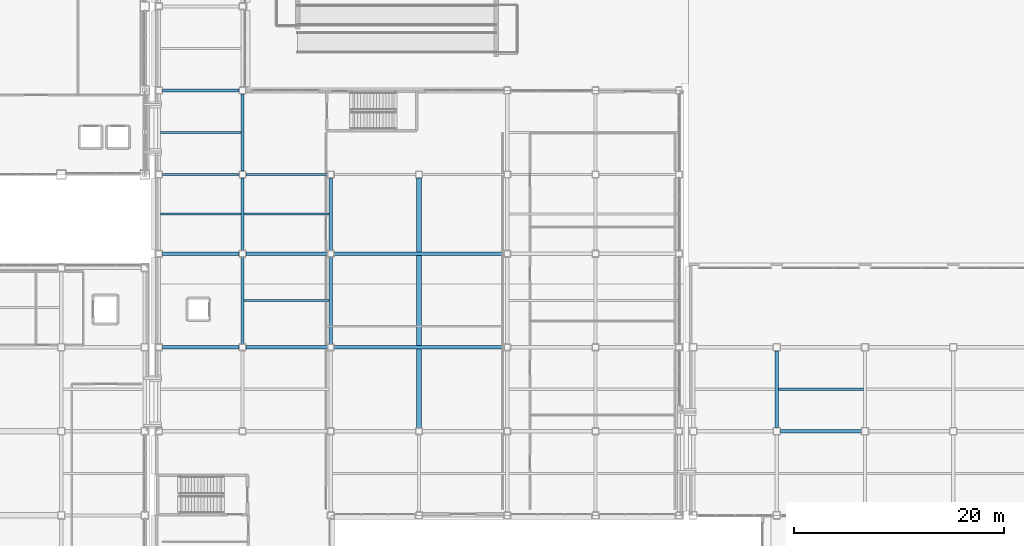
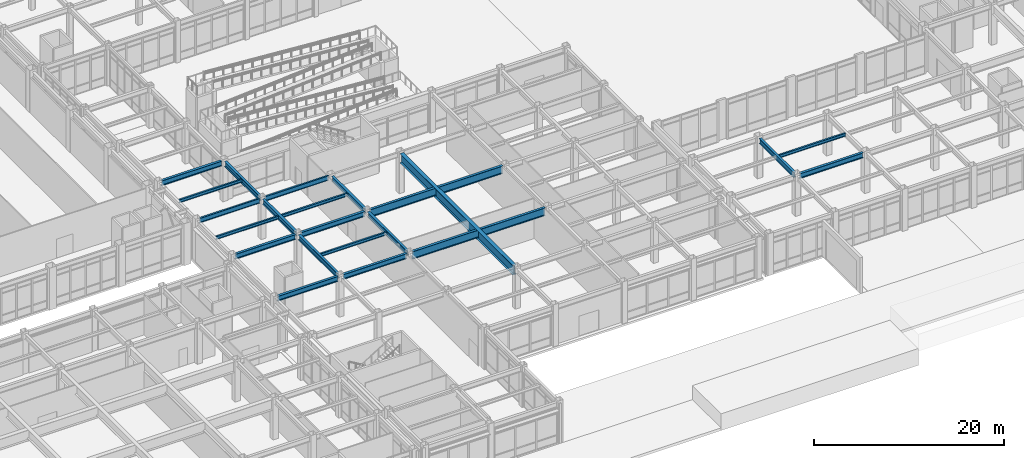
# One storey, part 48 of 165: 22 beams.
"""IFC4 building model written with IfcOpenShell, lengths in metres."""

from ifc_helpers import new_model, si_unit, direction, frame, origin, origin_2d, place, context, subcontext, project, spatial, i_section, extrude, material, material_profile, profile_set, type_object, element, save


model = new_model("IFC4")

# Units and contexts
model_context = context("Model", 3, precision=1e-05, world=origin(), true_north=direction((0.0, 1.0)))
body_context = subcontext(model_context, "Body", "Model", "MODEL_VIEW")
ifc_project = project(units=[si_unit("LENGTHUNIT", "METRE"), si_unit("AREAUNIT", "SQUARE_METRE"), si_unit("VOLUMEUNIT", "CUBIC_METRE"), si_unit("PLANEANGLEUNIT", "RADIAN"), si_unit("MASSUNIT", "GRAM", prefix="KILO")], contexts=[model_context])

# Site, building, storey
site_placement = place(None, origin())
site = spatial("IfcSite", under=ifc_project, at=site_placement, CompositionType="ELEMENT")
building_placement = place(site_placement, origin())
building = spatial("IfcBuilding", under=site, at=building_placement, Name="Kazehara Bluff Congress Hotel", CompositionType="ELEMENT")
storey_placement = place(building_placement, origin())
storey = spatial("IfcBuildingStorey", under=building, at=storey_placement, Name="L00", CompositionType="ELEMENT", Elevation=0.0)

# Beams
ifc_material_1 = material(Name="Steel SN490B", Category="steel")
ifc_material_profile_1 = material_profile(ifc_material_1, i_section(OverallWidth=0.300048828125, OverallDepth=0.64990234375, WebThickness=0.011962890625, FlangeThickness=0.02001953125, FilletRadius=0.012939453125, at=origin_2d()))
ifc_profile_set_1 = profile_set([ifc_material_profile_1], Name="Steel SN490B")
beam_type_1 = type_object("IfcBeamType", Name="TP-G-03", PredefinedType="BEAM", material=ifc_profile_set_1)
beam_1_placement = place(storey_placement, frame((67.64990234375, 32.324951171875, 4.824951171875), z_axis=(0.0, 1.0, 0.0), x_axis=(-1.0, 0.0, 0.0)))
element("IfcBeam", 1, at=beam_1_placement, inside=storey, type_object=beam_type_1, Name="L00 girder G-03 157", PredefinedType="BEAM", context=body_context, shape_type="SweptSolid", body=[
    extrude(i_section(OverallWidth=0.300048828125, OverallDepth=0.64990234375, WebThickness=0.011962890625, FlangeThickness=0.02001953125, FilletRadius=0.012939453125, at=origin_2d()), origin(), (0.0, 0.0, 1.0), 8.25),
])
beam_2_placement = place(storey_placement, frame((67.64990234375, 41.22509765625, 4.824951171875), z_axis=(0.0, 1.0, 0.0), x_axis=(-1.0, 0.0, 0.0)))
element("IfcBeam", 2, at=beam_2_placement, inside=storey, type_object=beam_type_1, Name="L00 girder G-03 158", PredefinedType="BEAM", context=body_context, shape_type="SweptSolid", body=[
    extrude(i_section(OverallWidth=0.300048828125, OverallDepth=0.64990234375, WebThickness=0.011962890625, FlangeThickness=0.02001953125, FilletRadius=0.012939453125, at=origin_2d()), origin(), (0.0, 0.0, 1.0), 6.89990234375),
])
beam_3_placement = place(storey_placement, frame((67.64990234375, 48.77490234375, 4.824951171875), z_axis=(0.0, 1.0, 0.0), x_axis=(-1.0, 0.0, 0.0)))
element("IfcBeam", 3, at=beam_3_placement, inside=storey, type_object=beam_type_1, Name="L00 girder G-03 159", PredefinedType="BEAM", context=body_context, shape_type="SweptSolid", body=[
    extrude(i_section(OverallWidth=0.300048828125, OverallDepth=0.64990234375, WebThickness=0.011962890625, FlangeThickness=0.02001953125, FilletRadius=0.012939453125, at=origin_2d()), origin(), (0.0, 0.0, 1.0), 7.35009765625),
])
beam_4_placement = place(storey_placement, frame((76.050048828125, 32.324951171875, 4.824951171875), z_axis=(0.0, 1.0, 0.0), x_axis=(-1.0, 0.0, 0.0)))
element("IfcBeam", 4, at=beam_4_placement, inside=storey, type_object=beam_type_1, Name="L00 girder G-03 166", PredefinedType="BEAM", context=body_context, shape_type="SweptSolid", body=[
    extrude(i_section(OverallWidth=0.300048828125, OverallDepth=0.64990234375, WebThickness=0.011962890625, FlangeThickness=0.02001953125, FilletRadius=0.012939453125, at=origin_2d()), origin(), (0.0, 0.0, 1.0), 8.25),
])
beam_5_placement = place(storey_placement, frame((76.050048828125, 41.22509765625, 4.824951171875), z_axis=(0.0, 1.0, 0.0), x_axis=(-1.0, 0.0, 0.0)))
element("IfcBeam", 5, at=beam_5_placement, inside=storey, type_object=beam_type_1, Name="L00 girder G-03 167", PredefinedType="BEAM", context=body_context, shape_type="SweptSolid", body=[
    extrude(i_section(OverallWidth=0.300048828125, OverallDepth=0.64990234375, WebThickness=0.011962890625, FlangeThickness=0.02001953125, FilletRadius=0.012939453125, at=origin_2d()), origin(), (0.0, 0.0, 1.0), 6.89990234375),
])
beam_6_placement = place(storey_placement, frame((60.02490234375, 32.0, 4.824951171875), z_axis=(1.0, 0.0, 0.0), x_axis=(0.0, 1.0, 0.0)))
element("IfcBeam", 6, at=beam_6_placement, inside=storey, type_object=beam_type_1, Name="L00 girder G-03 199", PredefinedType="BEAM", context=body_context, shape_type="SweptSolid", body=[
    extrude(i_section(OverallWidth=0.300048828125, OverallDepth=0.64990234375, WebThickness=0.011962890625, FlangeThickness=0.02001953125, FilletRadius=0.012939453125, at=origin_2d()), origin(), (0.0, 0.0, 1.0), 7.300048828125),
])
beam_7_placement = place(storey_placement, frame((67.97509765625, 32.0, 4.824951171875), z_axis=(1.0, 0.0, 0.0), x_axis=(0.0, 1.0, 0.0)))
element("IfcBeam", 7, at=beam_7_placement, inside=storey, type_object=beam_type_1, Name="L00 girder G-03 200", PredefinedType="BEAM", context=body_context, shape_type="SweptSolid", body=[
    extrude(i_section(OverallWidth=0.300048828125, OverallDepth=0.64990234375, WebThickness=0.011962890625, FlangeThickness=0.02001953125, FilletRadius=0.012939453125, at=origin_2d()), origin(), (0.0, 0.0, 1.0), 7.75),
])
beam_8_placement = place(storey_placement, frame((60.02490234375, 40.89990234375, 4.824951171875), z_axis=(1.0, 0.0, 0.0), x_axis=(0.0, 1.0, 0.0)))
element("IfcBeam", 8, at=beam_8_placement, inside=storey, type_object=beam_type_1, Name="L00 girder G-03 204", PredefinedType="BEAM", context=body_context, shape_type="SweptSolid", body=[
    extrude(i_section(OverallWidth=0.300048828125, OverallDepth=0.64990234375, WebThickness=0.011962890625, FlangeThickness=0.02001953125, FilletRadius=0.012939453125, at=origin_2d()), origin(), (0.0, 0.0, 1.0), 7.300048828125),
])
beam_9_placement = place(storey_placement, frame((67.97509765625, 40.89990234375, 4.824951171875), z_axis=(1.0, 0.0, 0.0), x_axis=(0.0, 1.0, 0.0)))
element("IfcBeam", 9, at=beam_9_placement, inside=storey, type_object=beam_type_1, Name="L00 girder G-03 205", PredefinedType="BEAM", context=body_context, shape_type="SweptSolid", body=[
    extrude(i_section(OverallWidth=0.300048828125, OverallDepth=0.64990234375, WebThickness=0.011962890625, FlangeThickness=0.02001953125, FilletRadius=0.012939453125, at=origin_2d()), origin(), (0.0, 0.0, 1.0), 7.75),
])
beam_10_placement = place(storey_placement, frame((60.02490234375, 56.449951171875, 4.824951171875), z_axis=(1.0, 0.0, 0.0), x_axis=(0.0, 1.0, 0.0)))
element("IfcBeam", 10, at=beam_10_placement, inside=storey, type_object=beam_type_1, Name="L00 girder G-03 215", PredefinedType="BEAM", context=body_context, shape_type="SweptSolid", body=[
    extrude(i_section(OverallWidth=0.300048828125, OverallDepth=0.64990234375, WebThickness=0.011962890625, FlangeThickness=0.02001953125, FilletRadius=0.012939453125, at=origin_2d()), origin(), (0.0, 0.0, 1.0), 7.300048828125),
])
beam_11_placement = place(storey_placement, frame((118.5, 24.35009765625, 4.824951171875), z_axis=(0.0, 1.0, 0.0), x_axis=(-1.0, 0.0, 0.0)))
element("IfcBeam", 11, at=beam_11_placement, inside=storey, type_object=beam_type_1, Name="L00 girder G-03 224", PredefinedType="BEAM", context=body_context, shape_type="SweptSolid", body=[
    extrude(i_section(OverallWidth=0.300048828125, OverallDepth=0.64990234375, WebThickness=0.011962890625, FlangeThickness=0.02001953125, FilletRadius=0.012939453125, at=origin_2d()), origin(), (0.0, 0.0, 1.0), 7.2998046875),
])
beam_12_placement = place(storey_placement, frame((118.85009765625, 24.0, 4.824951171875), z_axis=(1.0, 0.0, 0.0), x_axis=(0.0, 1.0, 0.0)))
element("IfcBeam", 12, at=beam_12_placement, inside=storey, type_object=beam_type_1, Name="L00 girder G-03 285", PredefinedType="BEAM", context=body_context, shape_type="SweptSolid", body=[
    extrude(i_section(OverallWidth=0.300048828125, OverallDepth=0.64990234375, WebThickness=0.011962890625, FlangeThickness=0.02001953125, FilletRadius=0.012939453125, at=origin_2d()), origin(), (0.0, 0.0, 1.0), 7.699951171875),
])
ifc_material_2 = material(Name="Steel SN490B", Category="steel")
ifc_material_profile_2 = material_profile(ifc_material_2, i_section(OverallWidth=0.300048828125, OverallDepth=1.0, WebThickness=0.01611328125, FlangeThickness=0.028076171875, FilletRadius=0.02197265625, at=origin_2d()))
ifc_profile_set_2 = profile_set([ifc_material_profile_2], Name="Steel SN490B")
beam_type_2 = type_object("IfcBeamType", Name="TP-G-09", PredefinedType="BEAM", material=ifc_profile_set_2)
for number, where, z_axis, x_axis, name in (
    (13, (76.375, 32.0, 4.64990234375), (1.0, 0.0, 0.0), (0.0, 1.0, 0.0), "L00 girder G-09 201"),
    (14, (76.375, 40.89990234375, 4.64990234375), (1.0, 0.0, 0.0), (0.0, 1.0, 0.0), "L00 girder G-09 206"),
):
    element("IfcBeam", number, at=place(storey_placement, frame(where, z_axis=z_axis, x_axis=x_axis)), inside=storey, type_object=beam_type_2, Name=name, PredefinedType="BEAM", context=body_context, shape_type="SweptSolid", body=[
        extrude(i_section(OverallWidth=0.300048828125, OverallDepth=1.0, WebThickness=0.01611328125, FlangeThickness=0.028076171875, FilletRadius=0.02197265625, at=origin_2d()), origin(), (0.0, 0.0, 1.0), 16.14990234375),
    ])
ifc_material_3 = material(Name="Steel SN490B", Category="steel")
ifc_material_profile_3 = material_profile(ifc_material_3, i_section(OverallWidth=0.449951171875, OverallDepth=1.199951171875, WebThickness=0.02001953125, FlangeThickness=0.031982421875, at=origin_2d()))
ifc_profile_set_3 = profile_set([ifc_material_profile_3], Name="Steel SN490B")
beam_type_3 = type_object("IfcBeamType", Name="TP-G-10", PredefinedType="BEAM", material=ifc_profile_set_3)
beam_13_placement = place(storey_placement, frame((84.449951171875, 24.324951171875, 4.550048828125), z_axis=(0.0, 1.0, 0.0), x_axis=(-1.0, 0.0, 0.0)))
element("IfcBeam", 15, at=beam_13_placement, inside=storey, type_object=beam_type_3, Name="L00 girder G-10 169", PredefinedType="BEAM", context=body_context, shape_type="SweptSolid", body=[
    extrude(i_section(OverallWidth=0.449951171875, OverallDepth=1.199951171875, WebThickness=0.02001953125, FlangeThickness=0.031982421875, at=origin_2d()), origin(), (0.0, 0.0, 1.0), 23.800048828125),
])
ifc_material_4 = material(Name="Steel SN400B", Category="steel")
ifc_material_profile_4 = material_profile(ifc_material_4, i_section(OverallWidth=0.199951171875, OverallDepth=0.39990234375, WebThickness=0.008056640625, FlangeThickness=0.012939453125, FilletRadius=0.012939453125, at=origin_2d()))
ifc_profile_set_4 = profile_set([ifc_material_profile_4], Name="Steel SN400B")
beam_type_4 = type_object("IfcBeamType", Name="TP-J-03", PredefinedType="JOIST", material=ifc_profile_set_4)
for number, where, z_axis, x_axis, name in (
    (16, (59.85009765625, 44.675048828125, 4.949951171875), (1.0, 0.0, 0.0), (0.0, 1.0, 0.0), "L00 secondary joist J-03 33"),
    (17, (59.85009765625, 52.449951171875, 4.949951171875), (1.0, 0.0, 0.0), (0.0, 1.0, 0.0), "L00 secondary joist J-03 34"),
):
    element("IfcBeam", number, at=place(storey_placement, frame(where, z_axis=z_axis, x_axis=x_axis)), inside=storey, type_object=beam_type_4, Name=name, PredefinedType="JOIST", context=body_context, shape_type="SweptSolid", body=[
        extrude(i_section(OverallWidth=0.199951171875, OverallDepth=0.39990234375, WebThickness=0.008056640625, FlangeThickness=0.012939453125, FilletRadius=0.012939453125, at=origin_2d()), origin(), (0.0, 0.0, 1.0), 7.64990234375),
    ])
for number, where, z_axis, x_axis, name in (
    (18, (67.800048828125, 36.449951171875, 4.949951171875), (1.0, 0.0, 0.0), (0.0, 1.0, 0.0), "L00 secondary joist J-03 39"),
    (19, (67.800048828125, 44.675048828125, 4.949951171875), (1.0, 0.0, 0.0), (0.0, 1.0, 0.0), "L00 secondary joist J-03 40"),
):
    element("IfcBeam", number, at=place(storey_placement, frame(where, z_axis=z_axis, x_axis=x_axis)), inside=storey, type_object=beam_type_4, Name=name, PredefinedType="JOIST", context=body_context, shape_type="SweptSolid", body=[
        extrude(i_section(OverallWidth=0.199951171875, OverallDepth=0.39990234375, WebThickness=0.008056640625, FlangeThickness=0.012939453125, FilletRadius=0.012939453125, at=origin_2d()), origin(), (0.0, 0.0, 1.0), 8.099853515625),
    ])
beam_14_placement = place(storey_placement, frame((118.64990234375, 28.0, 4.949951171875), z_axis=(1.0, 0.0, 0.0), x_axis=(0.0, 1.0, 0.0)))
element("IfcBeam", 20, at=beam_14_placement, inside=storey, type_object=beam_type_4, Name="L00 secondary joist J-03 56", PredefinedType="JOIST", context=body_context, shape_type="SweptSolid", body=[
    extrude(i_section(OverallWidth=0.199951171875, OverallDepth=0.39990234375, WebThickness=0.008056640625, FlangeThickness=0.012939453125, FilletRadius=0.012939453125, at=origin_2d()), origin(), (0.0, 0.0, 1.0), 8.10009765625),
])
ifc_material_5 = material(Name="Steel SN490B", Category="steel")
ifc_material_profile_5 = material_profile(ifc_material_5, i_section(OverallWidth=0.199951171875, OverallDepth=0.60009765625, WebThickness=0.010986328125, FlangeThickness=0.01708984375, FilletRadius=0.012939453125, at=origin_2d()))
ifc_profile_set_5 = profile_set([ifc_material_profile_5], Name="Steel SN490B")
beam_type_5 = type_object("IfcBeamType", Name="TP-SP-02", PredefinedType="SPANDREL", material=ifc_profile_set_5)
beam_15_placement = place(storey_placement, frame((60.02490234375, 48.449951171875, 4.85009765625), z_axis=(1.0, 0.0, 0.0), x_axis=(0.0, 1.0, 0.0)))
element("IfcBeam", 21, at=beam_15_placement, inside=storey, type_object=beam_type_5, Name="L00 girder SP-02 209", PredefinedType="SPANDREL", context=body_context, shape_type="SweptSolid", body=[
    extrude(i_section(OverallWidth=0.199951171875, OverallDepth=0.60009765625, WebThickness=0.010986328125, FlangeThickness=0.01708984375, FilletRadius=0.012939453125, at=origin_2d()), origin(), (0.0, 0.0, 1.0), 7.300048828125),
])
beam_16_placement = place(storey_placement, frame((67.97509765625, 48.449951171875, 4.85009765625), z_axis=(1.0, 0.0, 0.0), x_axis=(0.0, 1.0, 0.0)))
element("IfcBeam", 22, at=beam_16_placement, inside=storey, type_object=beam_type_5, Name="L00 girder SP-02 210", PredefinedType="SPANDREL", context=body_context, shape_type="SweptSolid", body=[
    extrude(i_section(OverallWidth=0.199951171875, OverallDepth=0.60009765625, WebThickness=0.010986328125, FlangeThickness=0.01708984375, FilletRadius=0.012939453125, at=origin_2d()), origin(), (0.0, 0.0, 1.0), 7.75),
])

save(model, "model.ifc")
